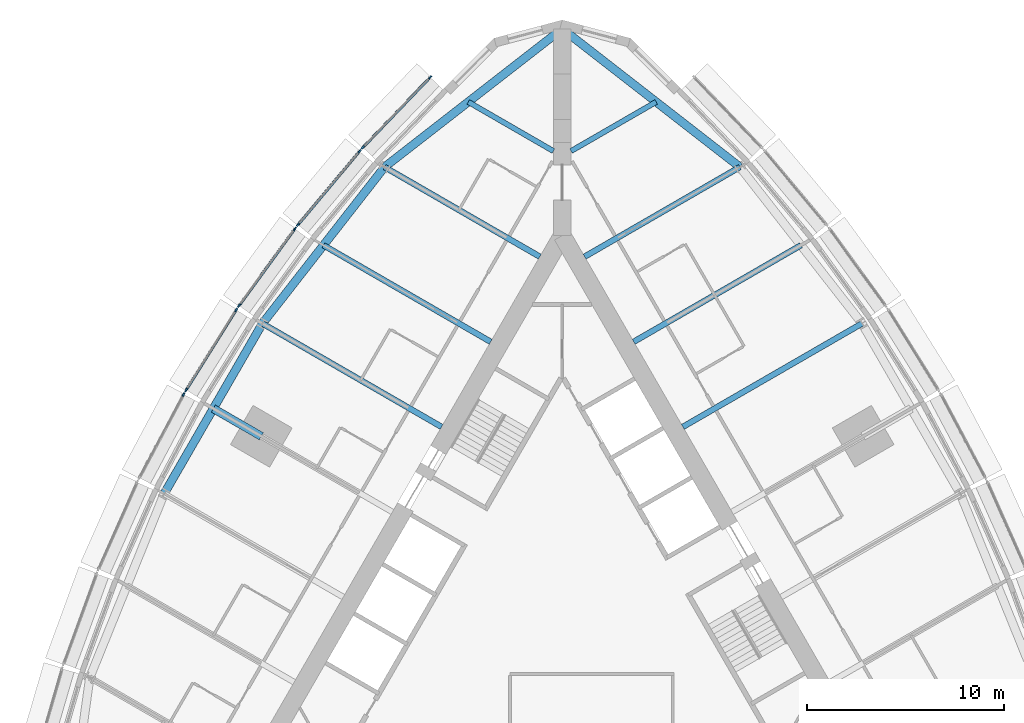
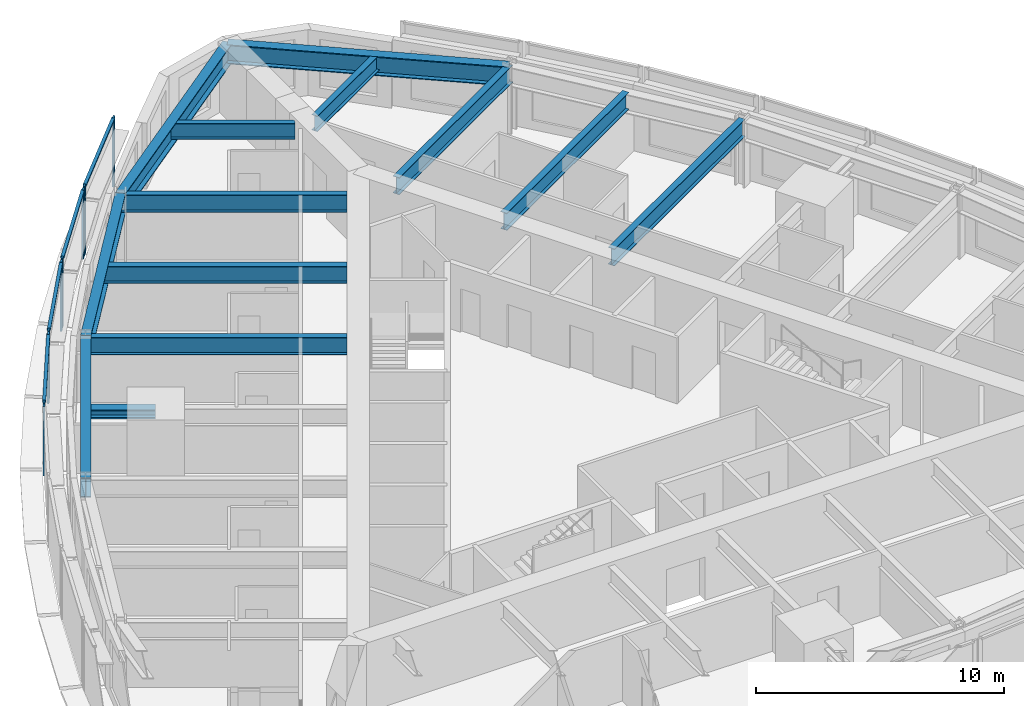
# One storey, part 4 of 14: 13 beams, 13 members, 5 elements without a shape of their own.
"""IFC4 building model written with IfcOpenShell, lengths in metres."""

from ifc_helpers import new_model, si_unit, direction, frame, origin, origin_2d, place, context, subcontext, project, spatial, rectangle, i_section, extrude, material, material_profile, profile_set, type_object, element, aggregate, save


model = new_model("IFC4")

# Units and contexts
model_context = context("Model", 3, precision=1e-05, world=origin(), true_north=direction((0.0, 1.0)))
body_context = subcontext(model_context, "Body", "Model", "MODEL_VIEW")
ifc_project = project(units=[si_unit("LENGTHUNIT", "METRE"), si_unit("AREAUNIT", "SQUARE_METRE"), si_unit("VOLUMEUNIT", "CUBIC_METRE"), si_unit("PLANEANGLEUNIT", "RADIAN"), si_unit("MASSUNIT", "GRAM", prefix="KILO")], contexts=[model_context])

# Site, building, storey
site_placement = place(None, origin())
site = spatial("IfcSite", under=ifc_project, at=site_placement, CompositionType="ELEMENT")
building_placement = place(site_placement, origin())
building = spatial("IfcBuilding", under=site, at=building_placement, Name="Trikona Tower", CompositionType="ELEMENT")
storey_placement = place(building_placement, frame((0.0, 0.0, 179.300048828125)))
storey = spatial("IfcBuildingStorey", under=building, at=storey_placement, Name="L48", CompositionType="ELEMENT", Elevation=179.300048828125)

# Curtain wall, members
ifc_material_1 = material(Name="Aluminium curtain wall system", Category="aluminium")
curtain_wall_type = type_object("IfcCurtainWallType", Name="Curtain wall DS2", PredefinedType="NOTDEFINED", material=ifc_material_1)
curtain_wall_1_placement = place(storey_placement, origin())
curtain_wall_1 = element("IfcCurtainWall", 1, at=curtain_wall_1_placement, inside=storey, type_object=curtain_wall_type, Name="Curtain wall DS2 L48", PredefinedType="NOTDEFINED")
ifc_material_2 = material(Name="Aluminium mullion, pale anodised", Category="aluminium")
ifc_material_profile_1 = material_profile(ifc_material_2, rectangle(XDim=0.080078125, YDim=0.199951171875, at=origin_2d()), Name="MUL-DS2")
ifc_profile_set_1 = profile_set([ifc_material_profile_1], Name="Aluminium mullion, pale anodised")
member_type_1 = type_object("IfcMemberType", Name="Mullion DS2 80x200", PredefinedType="MULLION", material=ifc_profile_set_1)
member_1_placement = place(storey_placement, frame((-6.718994140625, 27.1083984375, 0.0), z_axis=(0.0, 0.0, 1.0), x_axis=(0.722158330767, -0.691727797117, 0.0)))
member_1 = element("IfcMember", 2, at=member_1_placement, type_object=member_type_1, Name="CW-DS2 mullion 1", PredefinedType="MULLION", context=body_context, shape_type="SweptSolid", body=[
    extrude(rectangle(XDim=0.080078125, YDim=0.199951171875, at=origin_2d()), origin(), (0.0, 0.0, 1.0), 3.39990234375),
])
member_2_placement = place(storey_placement, frame((-10.1416015625, 23.535400390625, 0.0), z_axis=(0.0, 0.0, 1.0), x_axis=(0.722158330767, -0.691727797117, 0.0)))
member_2 = element("IfcMember", 3, at=member_2_placement, type_object=member_type_1, Name="CW-DS2 mullion 2", PredefinedType="MULLION", context=body_context, shape_type="SweptSolid", body=[
    extrude(rectangle(XDim=0.080078125, YDim=0.199951171875, at=origin_2d()), origin(), (0.0, 0.0, 1.0), 3.39990234375),
])

curtain_wall_2_placement = place(storey_placement, origin())
curtain_wall_2 = element("IfcCurtainWall", 4, at=curtain_wall_2_placement, inside=storey, type_object=curtain_wall_type, Name="Curtain wall DS2 L48", PredefinedType="NOTDEFINED")
member_3_placement = place(storey_placement, frame((-10.315185546875, 23.34130859375, 0.0), z_axis=(0.0, 0.0, 1.0), x_axis=(0.766866678271, -0.641806433248, 0.0)))
member_3 = element("IfcMember", 5, at=member_3_placement, type_object=member_type_1, Name="CW-DS2 mullion 1", PredefinedType="MULLION", context=body_context, shape_type="SweptSolid", body=[
    extrude(rectangle(XDim=0.080078125, YDim=0.199951171875, at=origin_2d()), origin(), (0.0, 0.0, 1.0), 3.39990234375),
])
member_4_placement = place(storey_placement, frame((-13.44482421875, 19.602294921875, 0.0), z_axis=(0.0, 0.0, 1.0), x_axis=(0.766866678271, -0.641806433248, 0.0)))
member_4 = element("IfcMember", 6, at=member_4_placement, type_object=member_type_1, Name="CW-DS2 mullion 2", PredefinedType="MULLION", context=body_context, shape_type="SweptSolid", body=[
    extrude(rectangle(XDim=0.080078125, YDim=0.199951171875, at=origin_2d()), origin(), (0.0, 0.0, 1.0), 3.39990234375),
])

curtain_wall_3_placement = place(storey_placement, origin())
curtain_wall_3 = element("IfcCurtainWall", 7, at=curtain_wall_3_placement, inside=storey, type_object=curtain_wall_type, Name="Curtain wall DS2 L48", PredefinedType="NOTDEFINED")
member_5_placement = place(storey_placement, frame((-13.605712890625, 19.39599609375, 0.0), z_axis=(0.0, 0.0, 1.0), x_axis=(0.80908576332, -0.587690588313, 0.0)))
member_5 = element("IfcMember", 8, at=member_5_placement, type_object=member_type_1, Name="CW-DS2 mullion 1", PredefinedType="MULLION", context=body_context, shape_type="SweptSolid", body=[
    extrude(rectangle(XDim=0.080078125, YDim=0.199951171875, at=origin_2d()), origin(), (0.0, 0.0, 1.0), 3.39990234375),
])
member_6_placement = place(storey_placement, frame((-16.442626953125, 15.489990234375, 0.0), z_axis=(0.0, 0.0, 1.0), x_axis=(0.80908576332, -0.587690588313, 0.0)))
member_6 = element("IfcMember", 9, at=member_6_placement, type_object=member_type_1, Name="CW-DS2 mullion 2", PredefinedType="MULLION", context=body_context, shape_type="SweptSolid", body=[
    extrude(rectangle(XDim=0.080078125, YDim=0.199951171875, at=origin_2d()), origin(), (0.0, 0.0, 1.0), 3.39990234375),
])

curtain_wall_4_placement = place(storey_placement, origin())
curtain_wall_4 = element("IfcCurtainWall", 10, at=curtain_wall_4_placement, inside=storey, type_object=curtain_wall_type, Name="Curtain wall DS2 L48", PredefinedType="NOTDEFINED")
member_7_placement = place(storey_placement, frame((-16.589599609375, 15.2724609375, 0.0), z_axis=(0.0, 0.0, 1.0), x_axis=(0.847998304006, -0.529998940002, 0.0)))
member_7 = element("IfcMember", 11, at=member_7_placement, type_object=member_type_1, Name="CW-DS2 mullion 1", PredefinedType="MULLION", context=body_context, shape_type="SweptSolid", body=[
    extrude(rectangle(XDim=0.080078125, YDim=0.199951171875, at=origin_2d()), origin(), (0.0, 0.0, 1.0), 3.39990234375),
])
member_8_placement = place(storey_placement, frame((-19.135009765625, 11.199462890625, 0.0), z_axis=(0.0, 0.0, 1.0), x_axis=(0.847998304006, -0.529998940002, 0.0)))
member_8 = element("IfcMember", 12, at=member_8_placement, type_object=member_type_1, Name="CW-DS2 mullion 2", PredefinedType="MULLION", context=body_context, shape_type="SweptSolid", body=[
    extrude(rectangle(XDim=0.080078125, YDim=0.199951171875, at=origin_2d()), origin(), (0.0, 0.0, 1.0), 3.39990234375),
])

# Curtain wall, member
curtain_wall_5_placement = place(storey_placement, origin())
curtain_wall_5 = element("IfcCurtainWall", 13, at=curtain_wall_5_placement, inside=storey, type_object=curtain_wall_type, Name="Curtain wall DS2 L48", PredefinedType="NOTDEFINED")
member_9_placement = place(storey_placement, frame((-19.2666015625, 10.9716796875, 0.0), z_axis=(0.0, 0.0, 1.0), x_axis=(0.882996107343, -0.469380308937, 0.0)))
member_9 = element("IfcMember", 14, at=member_9_placement, type_object=member_type_1, Name="CW-DS2 mullion 1", PredefinedType="MULLION", context=body_context, shape_type="SweptSolid", body=[
    extrude(rectangle(XDim=0.080078125, YDim=0.199951171875, at=origin_2d()), origin(), (0.0, 0.0, 1.0), 3.39990234375),
])
aggregate(curtain_wall_5, [member_9])

# Beams
ifc_material_3 = material(Name="Steel ASTM A992 Grade 50", Category="steel")
ifc_material_profile_2 = material_profile(ifc_material_3, i_section(OverallWidth=0.419189453125, OverallDepth=0.45458984375, WebThickness=0.042236328125, FlangeThickness=0.067626953125, at=origin_2d()), Name="W14X370")
ifc_profile_set_2 = profile_set([ifc_material_profile_2], Name="Steel ASTM A992 Grade 50")
beam_type_1 = type_object("IfcBeamType", Name="Steel beam W14x370 (apex bracket)", PredefinedType="BEAM", material=ifc_profile_set_2)
beam_1_placement = place(storey_placement, frame((-15.311767578125, 8.84033203125, 3.007568359375), z_axis=(-0.86605005072, 0.499957307824, 0.0), x_axis=(-0.499957307824, -0.86605005072, 0.0)))
element("IfcBeam", 15, at=beam_1_placement, inside=storey, type_object=beam_type_1, Name="Cantilever bracket L49 F3", PredefinedType="BEAM", context=body_context, shape_type="SweptSolid", body=[
    extrude(i_section(OverallWidth=0.419189453125, OverallDepth=0.45458984375, WebThickness=0.042236328125, FlangeThickness=0.067626953125, at=origin_2d()), origin(), (0.0, 0.0, 1.0), 2.819580078125),
])
ifc_material_4 = material(Name="Steel ASTM A992 Grade 50", Category="steel")
ifc_material_profile_3 = material_profile(ifc_material_4, i_section(OverallWidth=0.2666015625, OverallDepth=0.76953125, WebThickness=0.015625, FlangeThickness=0.025390625, at=origin_2d()), Name="W30X132")
ifc_profile_set_3 = profile_set([ifc_material_profile_3], Name="Steel ASTM A992 Grade 50")
beam_type_2 = type_object("IfcBeamType", Name="Steel beam W30x132 (wedge)", PredefinedType="BEAM", material=ifc_profile_set_3)
for number, where, z_axis, x_axis, name in (
    (16, (0.449951171875, 23.353759765625, 2.85009765625), (0.866038434829, 0.49997742889, 0.0), (-0.49997742889, 0.866038434829, 0.0), "Floor beam L49 F2 u20"),
    (17, (-0.449951171875, 23.353759765625, 2.85009765625), (-0.866038434829, 0.49997742889, 0.0), (-0.49997742889, -0.866038434829, 0.0), "Floor beam L49 F3 u-20"),
):
    element("IfcBeam", number, at=place(storey_placement, frame(where, z_axis=z_axis, x_axis=x_axis)), inside=storey, type_object=beam_type_2, Name=name, PredefinedType="BEAM", context=body_context, shape_type="SweptSolid", body=[
        extrude(i_section(OverallWidth=0.2666015625, OverallDepth=0.76953125, WebThickness=0.015625, FlangeThickness=0.025390625, at=origin_2d()), origin(), (0.0, 0.0, 1.0), 5.000732421875),
    ])
ifc_material_5 = material(Name="Steel ASTM A992 Grade 50", Category="steel")
ifc_material_profile_4 = material_profile(ifc_material_5, i_section(OverallWidth=0.2919921875, OverallDepth=0.845703125, WebThickness=0.015380859375, FlangeThickness=0.0244140625, at=origin_2d()), Name="W33X141")
ifc_profile_set_4 = profile_set([ifc_material_profile_4], Name="Steel ASTM A992 Grade 50")
beam_type_3 = type_object("IfcBeamType", Name="Steel beam W33x141 (radial typ)", PredefinedType="BEAM", material=ifc_profile_set_4)
beam_2_placement = place(storey_placement, frame((6.1396484375, 9.318359375, 2.81201171875), z_axis=(0.866036080828, 0.499981506362, 0.0), x_axis=(-0.499981506362, 0.866036080828, 0.0)))
element("IfcBeam", 18, at=beam_2_placement, inside=storey, type_object=beam_type_3, Name="Floor beam L49 F2 u5", PredefinedType="BEAM", context=body_context, shape_type="SweptSolid", body=[
    extrude(i_section(OverallWidth=0.2919921875, OverallDepth=0.845703125, WebThickness=0.015380859375, FlangeThickness=0.0244140625, at=origin_2d()), origin(), (0.0, 0.0, 1.0), 10.52392578125),
])
beam_3_placement = place(storey_placement, frame((3.6396484375, 13.6484375, 2.81201171875), z_axis=(0.866030807744, 0.499990639951, 0.0), x_axis=(-0.499990639951, 0.866030807744, 0.0)))
element("IfcBeam", 19, at=beam_3_placement, inside=storey, type_object=beam_type_3, Name="Floor beam L49 F2 u10", PredefinedType="BEAM", context=body_context, shape_type="SweptSolid", body=[
    extrude(i_section(OverallWidth=0.2919921875, OverallDepth=0.845703125, WebThickness=0.015380859375, FlangeThickness=0.0244140625, at=origin_2d()), origin(), (0.0, 0.0, 1.0), 9.823974609375),
])
for number, where, z_axis, x_axis, name in (
    (20, (1.1396484375, 17.978515625, 2.81201171875), (0.866024725532, 0.500001174766, 0.0), (-0.500001174766, 0.866024725532, 0.0), "Floor beam L49 F2 u15"),
    (21, (-1.1396484375, 17.978515625, 2.81201171875), (-0.866024725532, 0.500001174766, 0.0), (-0.500001174766, -0.866024725532, 0.0), "Floor beam L49 F3 u-15"),
):
    element("IfcBeam", number, at=place(storey_placement, frame(where, z_axis=z_axis, x_axis=x_axis)), inside=storey, type_object=beam_type_3, Name=name, PredefinedType="BEAM", context=body_context, shape_type="SweptSolid", body=[
        extrude(i_section(OverallWidth=0.2919921875, OverallDepth=0.845703125, WebThickness=0.015380859375, FlangeThickness=0.0244140625, at=origin_2d()), origin(), (0.0, 0.0, 1.0), 9.1240234375),
    ])
beam_4_placement = place(storey_placement, frame((-3.6396484375, 13.6484375, 2.81201171875), z_axis=(-0.866030807744, 0.499990639951, 0.0), x_axis=(-0.499990639951, -0.866030807744, 0.0)))
element("IfcBeam", 22, at=beam_4_placement, inside=storey, type_object=beam_type_3, Name="Floor beam L49 F3 u-10", PredefinedType="BEAM", context=body_context, shape_type="SweptSolid", body=[
    extrude(i_section(OverallWidth=0.2919921875, OverallDepth=0.845703125, WebThickness=0.015380859375, FlangeThickness=0.0244140625, at=origin_2d()), origin(), (0.0, 0.0, 1.0), 9.823974609375),
])
beam_5_placement = place(storey_placement, frame((-6.1396484375, 9.318359375, 2.81201171875), z_axis=(-0.866036080828, 0.499981506362, 0.0), x_axis=(-0.499981506362, -0.866036080828, 0.0)))
element("IfcBeam", 23, at=beam_5_placement, inside=storey, type_object=beam_type_3, Name="Floor beam L49 F3 u-5", PredefinedType="BEAM", context=body_context, shape_type="SweptSolid", body=[
    extrude(i_section(OverallWidth=0.2919921875, OverallDepth=0.845703125, WebThickness=0.015380859375, FlangeThickness=0.0244140625, at=origin_2d()), origin(), (0.0, 0.0, 1.0), 10.52392578125),
])
ifc_material_6 = material(Name="Steel ASTM A992 Grade 50", Category="steel")
ifc_material_profile_5 = material_profile(ifc_material_6, i_section(OverallWidth=0.424072265625, OverallDepth=0.947509765625, WebThickness=0.02392578125, FlangeThickness=0.042724609375, at=origin_2d()), Name="W36X302")
ifc_profile_set_5 = profile_set([ifc_material_profile_5], Name="Steel ASTM A992 Grade 50")
beam_type_4 = type_object("IfcBeamType", Name="Steel beam W36x302 (spandrel)", PredefinedType="SPANDREL", material=ifc_profile_set_5)
for number, where, z_axis, x_axis, name in (
    (24, (9.041259765625, 22.54052734375, 2.76123046875), (-0.789367137808, 0.613921429621, 0.0), (-0.613921429621, -0.789367137808, 0.0), "Spandrel beam L49 F2-5"),
    (25, (0.0, 29.572265625, 2.76123046875), (-0.789367137808, -0.613921429621, 0.0), (0.613921429621, -0.789367137808, 0.0), "Spandrel beam L49 F3-1"),
):
    element("IfcBeam", number, at=place(storey_placement, frame(where, z_axis=z_axis, x_axis=x_axis)), inside=storey, type_object=beam_type_4, Name=name, PredefinedType="SPANDREL", context=body_context, shape_type="SweptSolid", body=[
        extrude(i_section(OverallWidth=0.424072265625, OverallDepth=0.947509765625, WebThickness=0.02392578125, FlangeThickness=0.042724609375, at=origin_2d()), origin(), (0.0, 0.0, 1.0), 11.453857421875),
    ])
beam_6_placement = place(storey_placement, frame((-9.041259765625, 22.54052734375, 2.76123046875), z_axis=(-0.615232009054, -0.788346101046, 0.0), x_axis=(0.788346101046, -0.615232009054, 0.0)))
element("IfcBeam", 26, at=beam_6_placement, inside=storey, type_object=beam_type_4, Name="Spandrel beam L49 F3-2", PredefinedType="SPANDREL", context=body_context, shape_type="SweptSolid", body=[
    extrude(i_section(OverallWidth=0.424072265625, OverallDepth=0.947509765625, WebThickness=0.02392578125, FlangeThickness=0.042724609375, at=origin_2d()), origin(), (0.0, 0.0, 1.0), 10.09765625),
])
beam_7_placement = place(storey_placement, frame((-15.253662109375, 14.580078125, 2.76123046875), z_axis=(-0.500004234368, -0.866022959057, 0.0), x_axis=(0.866022959057, -0.500004234368, 0.0)))
element("IfcBeam", 27, at=beam_7_placement, inside=storey, type_object=beam_type_4, Name="Spandrel beam L49 F3-3", PredefinedType="SPANDREL", context=body_context, shape_type="SweptSolid", body=[
    extrude(i_section(OverallWidth=0.424072265625, OverallDepth=0.947509765625, WebThickness=0.02392578125, FlangeThickness=0.042724609375, at=origin_2d()), origin(), (0.0, 0.0, 1.0), 10.0),
])

# Member
ifc_material_7 = material(Name="Aluminium transom, pale anodised", Category="aluminium")
ifc_material_profile_6 = material_profile(ifc_material_7, rectangle(XDim=0.139892578125, YDim=0.080078125, at=origin_2d()), Name="TRN-DS2")
ifc_profile_set_6 = profile_set([ifc_material_profile_6], Name="Aluminium transom, pale anodised")
member_type_2 = type_object("IfcMemberType", Name="Transom DS2 80x140", PredefinedType="USERDEFINED", material=ifc_profile_set_6)
member_10_placement = place(storey_placement, frame((-6.746826171875, 27.07958984375, 3.35986328125), z_axis=(-0.691721246785, -0.722164605022, 0.0), x_axis=(0.722164605022, -0.691721246785, 0.0)))
member_10 = element("IfcMember", 28, at=member_10_placement, type_object=member_type_2, Name="CW-DS2 transom 1.1", ObjectType="TRANSOM", PredefinedType="USERDEFINED", context=body_context, shape_type="SweptSolid", body=[
    extrude(rectangle(XDim=0.139892578125, YDim=0.080078125, at=origin_2d()), origin(), (0.0, 0.0, 1.0), 4.867919921875),
])

aggregate(curtain_wall_1, [member_1, member_2, member_10])

member_11_placement = place(storey_placement, frame((-10.341064453125, 23.310791015625, 3.35986328125), z_axis=(-0.641770294892, -0.766896921753, 0.0), x_axis=(0.766896921753, -0.641770294892, 0.0)))
member_11 = element("IfcMember", 29, at=member_11_placement, type_object=member_type_2, Name="CW-DS2 transom 1.1", ObjectType="TRANSOM", PredefinedType="USERDEFINED", context=body_context, shape_type="SweptSolid", body=[
    extrude(rectangle(XDim=0.139892578125, YDim=0.080078125, at=origin_2d()), origin(), (0.0, 0.0, 1.0), 4.7958984375),
])

aggregate(curtain_wall_2, [member_3, member_4, member_11])

member_12_placement = place(storey_placement, frame((-13.629150390625, 19.363525390625, 3.35986328125), z_axis=(-0.587694585883, -0.809082859616, 0.0), x_axis=(0.809082859616, -0.587694585883, 0.0)))
member_12 = element("IfcMember", 30, at=member_12_placement, type_object=member_type_2, Name="CW-DS2 transom 1.1", ObjectType="TRANSOM", PredefinedType="USERDEFINED", context=body_context, shape_type="SweptSolid", body=[
    extrude(rectangle(XDim=0.139892578125, YDim=0.080078125, at=origin_2d()), origin(), (0.0, 0.0, 1.0), 4.747314453125),
])

aggregate(curtain_wall_3, [member_5, member_6, member_12])

member_13_placement = place(storey_placement, frame((-16.610595703125, 15.238525390625, 3.35986328125), z_axis=(-0.530031463794, -0.847977975769, 0.0), x_axis=(0.847977975769, -0.530031463794, 0.0)))
member_13 = element("IfcMember", 31, at=member_13_placement, type_object=member_type_2, Name="CW-DS2 transom 1.1", ObjectType="TRANSOM", PredefinedType="USERDEFINED", context=body_context, shape_type="SweptSolid", body=[
    extrude(rectangle(XDim=0.139892578125, YDim=0.080078125, at=origin_2d()), origin(), (0.0, 0.0, 1.0), 4.72314453125),
])

aggregate(curtain_wall_4, [member_7, member_8, member_13])

save(model, "model.ifc")
